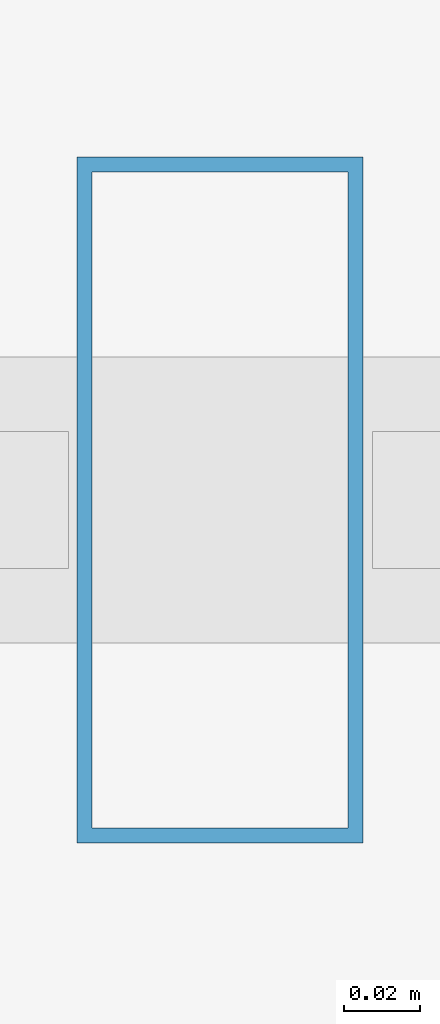
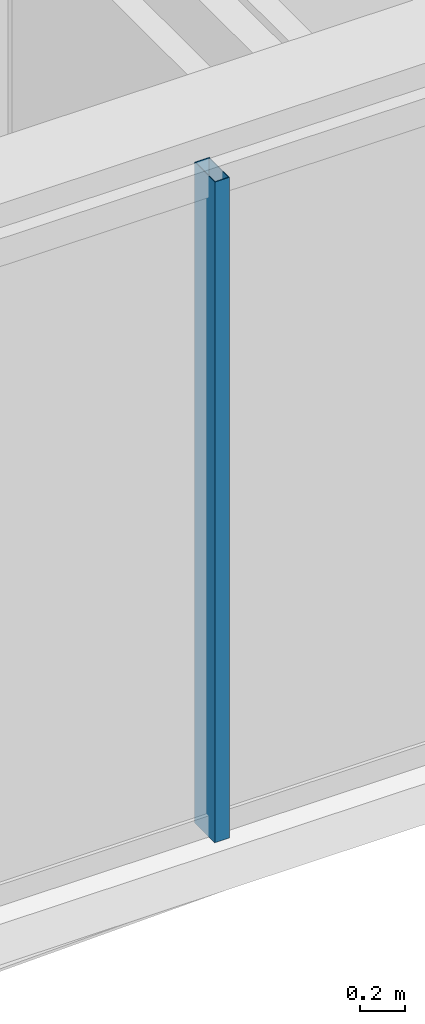
# One storey, part 9 of 32: 1 member, 1 element without a shape of its own.
"""IFC4 building model written with IfcOpenShell, lengths in metres."""

import ifcopenshell
import ifcopenshell.guid

model = None  # the IFC model being written
_history = None  # IfcOwnerHistory: only IFC2X3 demands one
_inside = {}  # id of a spatial element -> (the spatial element, [elements in it])
_under = {}  # id of a project, library or spatial element -> (it, [spatial elements below it])
_declared = {}  # id of a project -> (the project, [libraries it declares])
_typed = {}  # id of a type object -> (the type object, [elements of that type])
_made_of = {}  # id of a material, layer set ... -> (it, [elements and type objects made of it])


def new_model(schema):
    """Start an empty IFC model of exactly this schema.

    Asked for "IFC4X3", IfcOpenShell would pick the latest addendum, in which some entities
    have other attributes; the version numbers below select the first issue.
    IFC2X3 requires an IfcOwnerHistory on every rooted entity: one is made here for all.
    """
    global model, _history
    if schema == "IFC4X3":
        model = ifcopenshell.file(schema_version=(4, 3, 0, 0))
    else:
        model = ifcopenshell.file(schema=schema)
    _inside.clear()
    _under.clear()
    _declared.clear()
    _typed.clear()
    _made_of.clear()
    _history = None
    if model.schema == "IFC2X3":
        org = make("IfcOrganization", Name="unknown")
        user = make(
            "IfcPersonAndOrganization",
            ThePerson=make("IfcPerson", FamilyName="unknown"),
            TheOrganization=org,
        )
        app = make(
            "IfcApplication",
            ApplicationDeveloper=org,
            Version="unknown",
            ApplicationFullName="unknown",
            ApplicationIdentifier="unknown",
        )
        _history = make(
            "IfcOwnerHistory",
            OwningUser=user,
            OwningApplication=app,
            ChangeAction="ADDED",
            CreationDate=0,
        )
    return model


def make(cls, **values):
    """One entity of the class cls with the attributes given. An attribute that is None is left unset."""
    return model.create_entity(
        cls, **{name: value for name, value in values.items() if value is not None}
    )


def rooted(cls, **values):
    """An entity with a GlobalId (a new one), such as an element, a storey or a relation."""
    return make(cls, GlobalId=ifcopenshell.guid.new(), OwnerHistory=_history, **values)


def si_unit(unit_type, name, prefix=None):
    """IfcSIUnit, for example si_unit("LENGTHUNIT", "METRE", prefix="MILLI")."""
    return make("IfcSIUnit", UnitType=unit_type, Prefix=prefix, Name=name)


def assignment(units):
    """IfcUnitAssignment: the units of a project."""
    return None if units is None else make("IfcUnitAssignment", Units=units)


def point(xyz):
    """IfcCartesianPoint."""
    return None if xyz is None else make("IfcCartesianPoint", Coordinates=xyz)


def direction(xyz):
    """IfcDirection."""
    return None if xyz is None else make("IfcDirection", DirectionRatios=xyz)


def frame(location, z_axis=None, x_axis=None):
    """IfcAxis2Placement3D, a coordinate frame: its origin and axes. An axis left out is left unset."""
    return make(
        "IfcAxis2Placement3D",
        Location=point(location),
        Axis=direction(z_axis),
        RefDirection=direction(x_axis),
    )


def frame_2d(location, x_axis=None):
    """IfcAxis2Placement2D, a coordinate frame in the plane: its origin and x axis."""
    return make(
        "IfcAxis2Placement2D", Location=point(location), RefDirection=direction(x_axis)
    )


def origin():
    """The frame at (0, 0, 0) with its axes left unset."""
    return frame((0.0, 0.0, 0.0))


def origin_2d():
    """The frame at (0, 0) in the plane with its x axis left unset."""
    return frame_2d((0.0, 0.0))


def place(relative_to, where):
    """IfcLocalPlacement: puts the frame where relative to a parent placement (None: the world)."""
    return make(
        "IfcLocalPlacement", PlacementRelTo=relative_to, RelativePlacement=where
    )


def context(
    kind, dimensions, precision=None, world=None, true_north=None, identifier=None
):
    """IfcGeometricRepresentationContext, for example the 3D "Model" context."""
    return make(
        "IfcGeometricRepresentationContext",
        ContextIdentifier=identifier,
        ContextType=kind,
        CoordinateSpaceDimension=dimensions,
        Precision=precision,
        WorldCoordinateSystem=world,
        TrueNorth=true_north,
    )


def subcontext(parent, identifier, kind, view, scale=None):
    """IfcGeometricRepresentationSubContext, for example "Body" below "Model"."""
    return make(
        "IfcGeometricRepresentationSubContext",
        ContextIdentifier=identifier,
        ContextType=kind,
        ParentContext=parent,
        TargetScale=scale,
        TargetView=view,
    )


def project(units=None, contexts=None):
    """IfcProject with its units and contexts."""
    return rooted(
        "IfcProject",
        Name="project",
        RepresentationContexts=contexts,
        UnitsInContext=assignment(units),
    )


def spatial(cls, under=None, at=None, **own):
    """A site, building, storey or space (cls), placed at a placement, below another one or the project."""
    s = rooted(cls, ObjectPlacement=at, **own)
    if under is not None:
        _under.setdefault(under.id(), (under, []))[1].append(s)
    return s


def profile(cls, at=None, kind="AREA", **sizes):
    """A parametric profile (cls). Its sizes go by their IFC names, for example OverallWidth=200.0."""
    return make(cls, ProfileType=kind, Position=at, **sizes)


def hollow_rectangle(**sizes):
    """IfcRectangleHollowProfileDef."""
    return profile("IfcRectangleHollowProfileDef", **sizes)


def extrude(swept, where, along, depth):
    """IfcExtrudedAreaSolid: the profile swept, set in the frame where, extruded along a direction by depth."""
    return make(
        "IfcExtrudedAreaSolid",
        SweptArea=swept,
        Position=where,
        ExtrudedDirection=direction(along),
        Depth=depth,
    )


def shape(context_of_items, identifier, shape_type, items):
    """IfcShapeRepresentation: the items that make up one representation, for example the "Body"."""
    return make(
        "IfcShapeRepresentation",
        ContextOfItems=context_of_items,
        RepresentationIdentifier=identifier,
        RepresentationType=shape_type,
        Items=items,
    )


def material(Name=None, Category=None):
    """IfcMaterial."""
    return make("IfcMaterial", Name=Name, Category=Category)


def layer(
    of_material, thickness, ventilated=None, Name=None, Category=None, Priority=None
):
    """IfcMaterialLayer: one layer of a wall or slab, of a material (None: an air gap)."""
    return make(
        "IfcMaterialLayer",
        Material=of_material,
        LayerThickness=thickness,
        IsVentilated=ventilated,
        Name=Name,
        Category=Category,
        Priority=Priority,
    )


def layer_set(layers, Name=None):
    """IfcMaterialLayerSet."""
    return make("IfcMaterialLayerSet", MaterialLayers=layers, LayerSetName=Name)


def material_profile(
    of_material, cross_section, Name=None, Category=None, Priority=None
):
    """IfcMaterialProfile: a cross section and its material."""
    return make(
        "IfcMaterialProfile",
        Name=Name,
        Material=of_material,
        Profile=cross_section,
        Priority=Priority,
        Category=Category,
    )


def profile_set(profiles, Name=None, composite=None):
    """IfcMaterialProfileSet."""
    return make(
        "IfcMaterialProfileSet",
        Name=Name,
        MaterialProfiles=profiles,
        CompositeProfile=composite,
    )


def made_of(thing, what):
    """Note that an element or type object is made of a material, layer set ...; save() writes the relation."""
    if what is not None:
        _made_of.setdefault(what.id(), (what, []))[1].append(thing)
    return thing


def type_object(cls, material=None, **own):
    """A type object (cls), such as IfcWallType, which elements share."""
    return made_of(rooted(cls, **own), material)


def element(
    cls,
    number,
    at=None,
    inside=None,
    cuts=None,
    type_object=None,
    material=None,
    context=None,
    identifier="Body",
    shape_type=None,
    held_by="IfcProductDefinitionShape",
    body=None,
    shapes=None,
    **own,
):
    """One element of the class cls, such as IfcWall. Its Tag is "e" and its number.

    at: its placement. inside: the storey or other place that contains it. cuts: it is an
    opening in that element (IfcRelVoidsElement). A single representation is given by context,
    identifier, shape_type and body (its items); several are given by shapes. held_by: the class
    of the entity that holds the representations. save() writes the other relations.
    """
    e = rooted(cls, Tag="e%d" % number, ObjectPlacement=at, **own)
    if body is not None:
        shapes = [shape(context, identifier, shape_type, body)]
    if shapes is not None:
        e.Representation = make(held_by, Representations=shapes)
    if inside is not None:
        _inside.setdefault(inside.id(), (inside, []))[1].append(e)
    if cuts is not None:
        rooted(
            "IfcRelVoidsElement", RelatingBuildingElement=cuts, RelatedOpeningElement=e
        )
    if type_object is not None:
        _typed.setdefault(type_object.id(), (type_object, []))[1].append(e)
    return made_of(e, material)


def aggregate(whole, parts):
    """IfcRelAggregates: a whole, such as a stair, and the parts it consists of."""
    return rooted("IfcRelAggregates", RelatingObject=whole, RelatedObjects=parts)


def save(model, path):
    """Write the relations noted so far, then the file.

    IfcRelAggregates (storeys below a building ...), IfcRelContainedInSpatialStructure (elements
    in a storey), IfcRelDefinesByType, IfcRelAssociatesMaterial and IfcRelDeclares: one each for
    every whole, place, type object, material and project.
    """
    for whole, parts in _under.values():
        aggregate(whole, parts)
    for where, things in _inside.values():
        rooted(
            "IfcRelContainedInSpatialStructure",
            RelatedElements=things,
            RelatingStructure=where,
        )
    for kind, things in _typed.values():
        rooted("IfcRelDefinesByType", RelatedObjects=things, RelatingType=kind)
    for what, things in _made_of.values():
        rooted("IfcRelAssociatesMaterial", RelatedObjects=things, RelatingMaterial=what)
    for by, libraries in _declared.values():
        rooted("IfcRelDeclares", RelatingContext=by, RelatedDefinitions=libraries)
    model.write(path)


model = new_model("IFC4")

# Units and contexts
model_context = context("Model", 3, precision=1e-05, world=origin(), true_north=direction((0.0, 1.0)))
body_context = subcontext(model_context, "Body", "Model", "MODEL_VIEW")
ifc_project = project(units=[si_unit("LENGTHUNIT", "METRE"), si_unit("AREAUNIT", "SQUARE_METRE"), si_unit("VOLUMEUNIT", "CUBIC_METRE"), si_unit("PLANEANGLEUNIT", "RADIAN"), si_unit("MASSUNIT", "GRAM", prefix="KILO")], contexts=[model_context])

# Site, building, storey
site_placement = place(None, origin())
site = spatial("IfcSite", under=ifc_project, at=site_placement, CompositionType="ELEMENT")
building_placement = place(site_placement, origin())
building = spatial("IfcBuilding", under=site, at=building_placement, Name="Ndaravel Arena Tower", CompositionType="ELEMENT")
storey_placement = place(building_placement, frame((0.0, 0.0, 134.60009765625)))
storey = spatial("IfcBuildingStorey", under=building, at=storey_placement, Name="L31", CompositionType="ELEMENT", Elevation=134.60009765625)

# Curtain wall, member
ifc_material_1 = material(Name="Aluminium", Category="aluminium")
ifc_layer = layer(ifc_material_1, 0.179931640625)
ifc_layer_set = layer_set([ifc_layer], Name="Aluminium")
curtain_wall_type = type_object("IfcCurtainWallType", Name="CW-SYS-03", PredefinedType="NOTDEFINED", material=ifc_layer_set)
curtain_wall_placement = place(storey_placement, origin())
curtain_wall = element("IfcCurtainWall", 1, at=curtain_wall_placement, inside=storey, type_object=curtain_wall_type, Name="L31 Faceted Crystal Curtain Wall CW-L31-E01", PredefinedType="NOTDEFINED")
ifc_material_2 = material(Name="Aluminium", Category="aluminium")
ifc_material_profile = material_profile(ifc_material_2, hollow_rectangle(XDim=0.074951171875, YDim=0.179931640625, WallThickness=0.00390625, at=origin_2d()), Name="CW MULLION 75x180x4")
ifc_profile_set = profile_set([ifc_material_profile], Name="Aluminium")
member_type = type_object("IfcMemberType", Name="MEM-CW-MUL180", PredefinedType="MULLION", material=ifc_profile_set)
member_placement = place(storey_placement, frame((46.361083984375, 5.159912109375, 0.0), z_axis=(0.0, 0.0, 1.0), x_axis=(1.0, 0.0, 0.0)))
member = element("IfcMember", 2, at=member_placement, type_object=member_type, Name="CW-L31-E01 Mullion 05", PredefinedType="MULLION", context=body_context, shape_type="SweptSolid", body=[
    extrude(hollow_rectangle(XDim=0.074951171875, YDim=0.179931640625, WallThickness=0.00390625, at=origin_2d()), origin(), (0.0, 0.0, 1.0), 3.579833984375),
])
aggregate(curtain_wall, [member])

save(model, "model.ifc")
